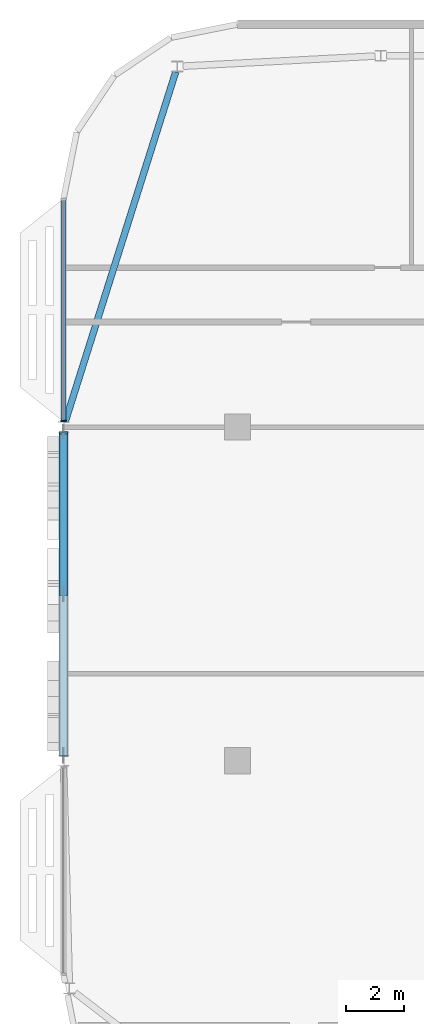
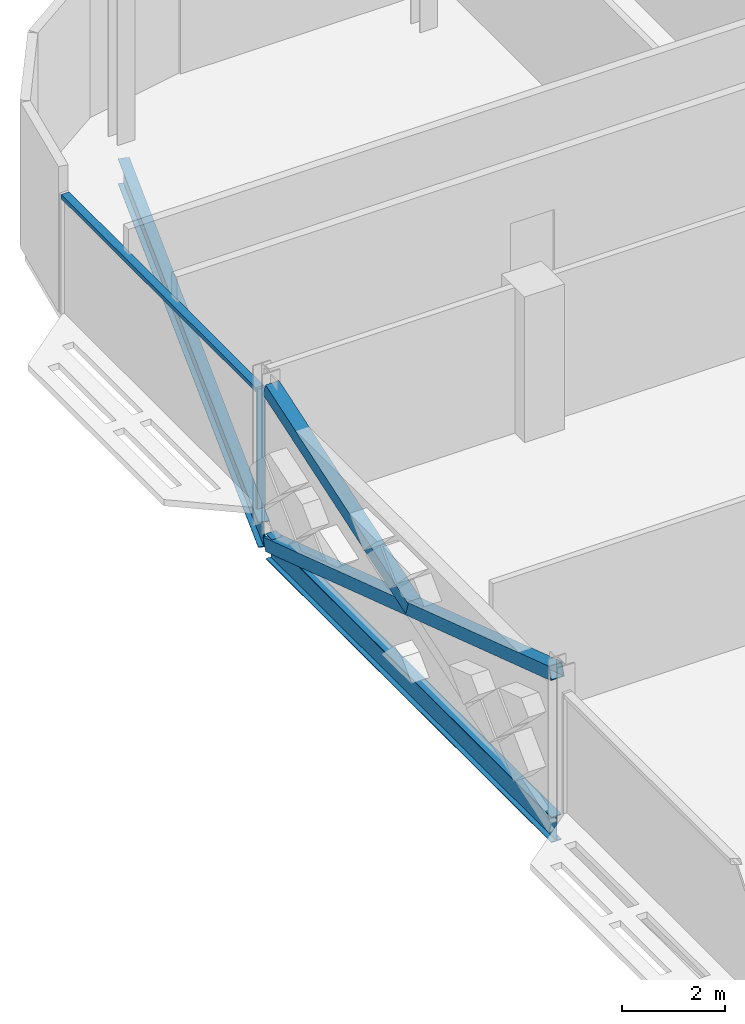
# One storey, part 6 of 28: 4 members, 2 beams, 1 element without a shape of its own.
"""IFC4 building model written with IfcOpenShell, lengths in metres."""

from ifc_helpers import new_model, si_unit, direction, frame, origin, origin_2d, place, context, subcontext, project, spatial, rectangle, hollow_rectangle, i_section, extrude, material, material_profile, profile_set, type_object, element, aggregate, save


model = new_model("IFC4")

# Units and contexts
model_context = context("Model", 3, precision=1e-05, world=origin(), true_north=direction((0.0, 1.0)))
body_context = subcontext(model_context, "Body", "Model", "MODEL_VIEW")
ifc_project = project(units=[si_unit("LENGTHUNIT", "METRE"), si_unit("AREAUNIT", "SQUARE_METRE"), si_unit("VOLUMEUNIT", "CUBIC_METRE"), si_unit("PLANEANGLEUNIT", "RADIAN"), si_unit("MASSUNIT", "GRAM", prefix="KILO")], contexts=[model_context])

# Site, building, storey
site_placement = place(None, origin())
site = spatial("IfcSite", under=ifc_project, at=site_placement, CompositionType="ELEMENT")
building_placement = place(site_placement, origin())
building = spatial("IfcBuilding", under=site, at=building_placement, Name="Mahtab Terrace Research Tower", CompositionType="ELEMENT")
storey_placement = place(building_placement, frame((0.0, 0.0, 270.89990234375)))
storey = spatial("IfcBuildingStorey", under=building, at=storey_placement, Name="L66", CompositionType="ELEMENT", Elevation=270.89990234375)

# Members
ifc_material_1 = material(Name="Steel ASTM A500 Gr C", Category="steel")
ifc_material_profile_1 = material_profile(ifc_material_1, hollow_rectangle(XDim=0.3046875, YDim=0.3046875, WallThickness=0.015869140625, at=origin_2d()), Name="HSS12X12X5/8")
ifc_profile_set_1 = profile_set([ifc_material_profile_1], Name="Steel ASTM A500 Gr C")
member_type_1 = type_object("IfcMemberType", Name="HSS 12x12x5/8 brace XB121258", PredefinedType="BRACE", material=ifc_profile_set_1)
member_1_placement = place(storey_placement, frame((-48.0, 11.31201171875, -0.581298828125), z_axis=(0.0, -0.949505289695, 0.313751023651), x_axis=(1.0, 0.0, 0.0)))
element("IfcMember", 1, at=member_1_placement, inside=storey, type_object=member_type_1, Name="Exoskeleton brace L66 11 a", PredefinedType="BRACE", context=body_context, shape_type="SweptSolid", body=[
    extrude(hollow_rectangle(XDim=0.3046875, YDim=0.3046875, WallThickness=0.015869140625, at=origin_2d()), origin(), (0.0, 0.0, 1.0), 11.715576171875),
])
member_2_placement = place(storey_placement, frame((-48.0, 5.75, 1.256591796875), z_axis=(0.0, 0.949505289695, 0.313751023651), x_axis=(-1.0, 0.0, 0.0)))
element("IfcMember", 2, at=member_2_placement, inside=storey, type_object=member_type_1, Name="Exoskeleton brace L66 11 b2", PredefinedType="BRACE", context=body_context, shape_type="SweptSolid", body=[
    extrude(hollow_rectangle(XDim=0.3046875, YDim=0.3046875, WallThickness=0.015869140625, at=origin_2d()), origin(), (0.0, 0.0, 1.0), 5.85791015625),
])

# Curtain wall, members
ifc_material_2 = material(Name="Office ribbon curtain wall")
curtain_wall_type = type_object("IfcCurtainWallType", Name="Office ribbon curtain wall", PredefinedType="NOTDEFINED", material=ifc_material_2)
curtain_wall_placement = place(storey_placement, origin())
curtain_wall = element("IfcCurtainWall", 3, at=curtain_wall_placement, inside=storey, type_object=curtain_wall_type, Name="EN.L66.8.8", PredefinedType="NOTDEFINED")
ifc_material_3 = material(Name="Natural anodised aluminium", Category="aluminium")
ifc_material_profile_2 = material_profile(ifc_material_3, rectangle(XDim=0.179931640625, YDim=0.06005859375, at=origin_2d()), Name="MULLION 60x180")
ifc_profile_set_2 = profile_set([ifc_material_profile_2], Name="Natural anodised aluminium")
member_type_2 = type_object("IfcMemberType", Name="Office ribbon curtain wall mullion", PredefinedType="MULLION", material=ifc_profile_set_2)
member_3_placement = place(storey_placement, frame((-48.0, 11.718017578125, 0.0), z_axis=(0.0, 0.0, 1.0), x_axis=(1.0, 0.0, 0.0)))
member_3 = element("IfcMember", 4, at=member_3_placement, type_object=member_type_2, Name="CWO-8 mullion 2", PredefinedType="MULLION", context=body_context, shape_type="SweptSolid", body=[
    extrude(rectangle(XDim=0.179931640625, YDim=0.06005859375, at=origin_2d()), origin(), (0.0, 0.0, 1.0), 2.85302734375),
])
ifc_material_profile_3 = material_profile(ifc_material_3, rectangle(XDim=0.179931640625, YDim=0.10009765625, at=origin_2d()), Name="TRANSOM 100x180")
ifc_profile_set_3 = profile_set([ifc_material_profile_3], Name="Natural anodised aluminium")
member_type_3 = type_object("IfcMemberType", Name="Office ribbon curtain wall transom", PredefinedType="USERDEFINED", material=ifc_profile_set_3)
member_4_placement = place(storey_placement, frame((-48.0, 19.330078125, 2.802978515625), z_axis=(0.0, -1.0, 0.0), x_axis=(1.0, 0.0, 0.0)))
member_4 = element("IfcMember", 5, at=member_4_placement, type_object=member_type_3, Name="CWO-8 transom 1", ObjectType="TRANSOM", PredefinedType="USERDEFINED", context=body_context, shape_type="SweptSolid", body=[
    extrude(rectangle(XDim=0.179931640625, YDim=0.10009765625, at=origin_2d()), origin(), (0.0, 0.0, 1.0), 7.58203125),
])
aggregate(curtain_wall, [member_3, member_4])

# Beams
ifc_material_4 = material(Name="Steel ASTM A992 Gr 50", Category="steel")
ifc_material_profile_4 = material_profile(ifc_material_4, i_section(OverallWidth=0.228271484375, OverallDepth=0.607177734375, WebThickness=0.01123046875, FlangeThickness=0.017333984375, at=origin_2d()), Name="W24X76")
ifc_profile_set_4 = profile_set([ifc_material_profile_4], Name="Steel ASTM A992 Gr 50")
beam_type = type_object("IfcBeamType", Name="W24x76 beam BS2476", PredefinedType="BEAM", material=ifc_profile_set_4)
beam_1_placement = place(storey_placement, frame((-44.13134765625, 23.7490234375, -0.6435546875), z_axis=(-0.301172937978, -0.953569536756, 0.0), x_axis=(0.953569536756, -0.301172937978, 0.0)))
element("IfcBeam", 6, at=beam_1_placement, inside=storey, type_object=beam_type, Name="Spandrel beam L66 10", PredefinedType="BEAM", context=body_context, shape_type="SweptSolid", body=[
    extrude(i_section(OverallWidth=0.228271484375, OverallDepth=0.607177734375, WebThickness=0.01123046875, FlangeThickness=0.017333984375, at=origin_2d()), origin(), (0.0, 0.0, 1.0), 12.648193359375),
])
beam_2_placement = place(storey_placement, frame((-48.0, 11.31201171875, -0.6435546875), z_axis=(0.0, -1.0, 0.0), x_axis=(1.0, 0.0, 0.0)))
element("IfcBeam", 7, at=beam_2_placement, inside=storey, type_object=beam_type, Name="Spandrel beam L66 11", PredefinedType="BEAM", context=body_context, shape_type="SweptSolid", body=[
    extrude(i_section(OverallWidth=0.228271484375, OverallDepth=0.607177734375, WebThickness=0.01123046875, FlangeThickness=0.017333984375, at=origin_2d()), origin(), (0.0, 0.0, 1.0), 11.1240234375),
])

save(model, "model.ifc")
